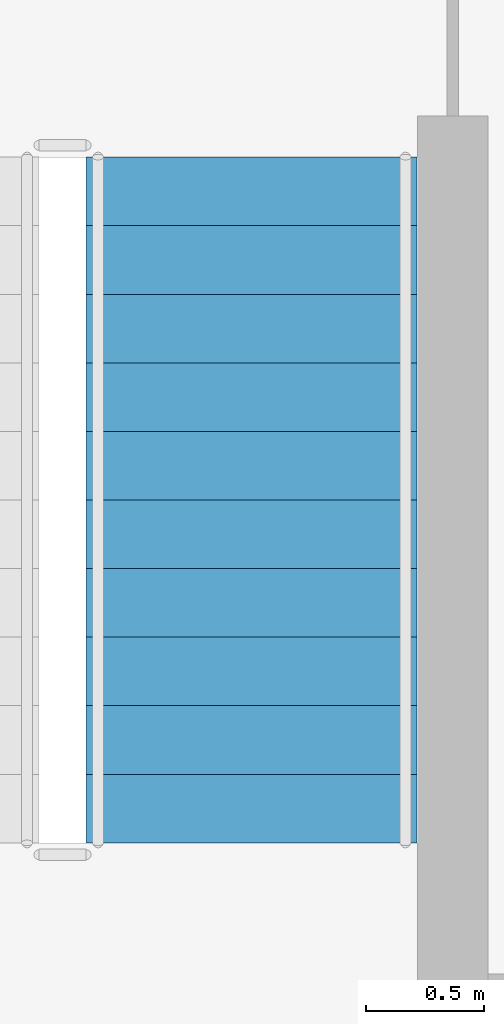
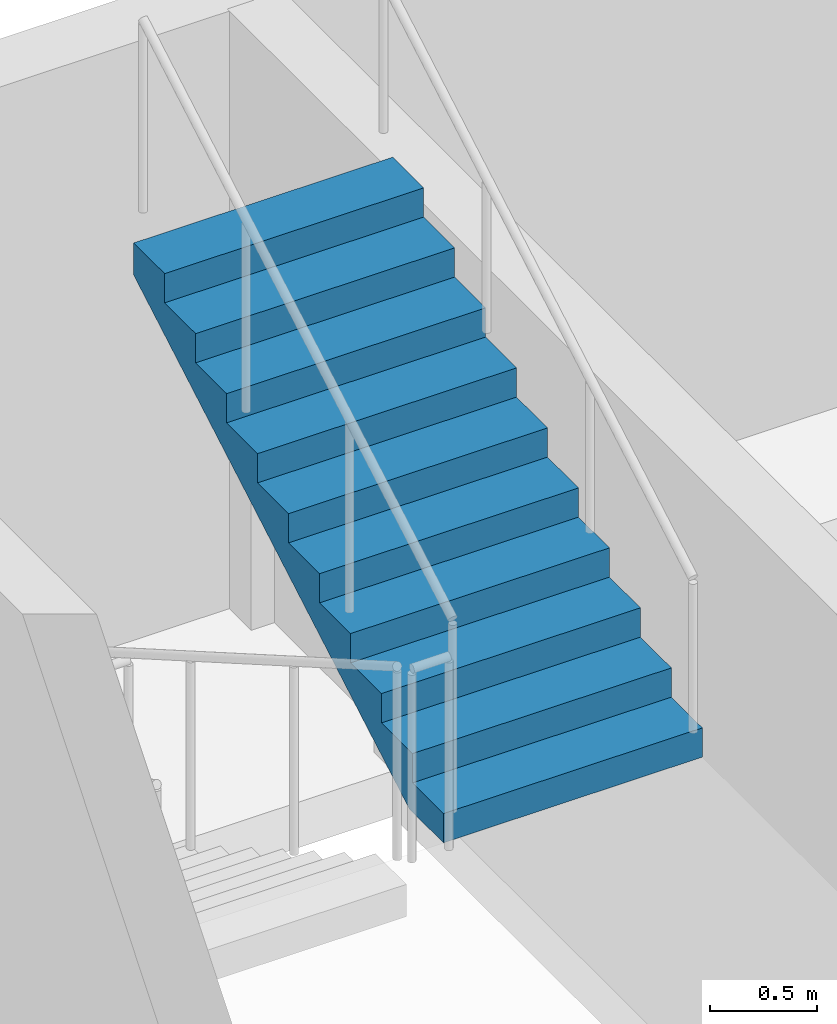
# One storey, part 54 of 73: 1 stair flight, 1 element without a shape of its own.
"""IFC4 building model written with IfcOpenShell, lengths in metres."""

from ifc_helpers import new_model, si_unit, derived_unit, direction, frame, origin, place, context, subcontext, project, spatial, polyline, outline, extrude, material, type_object, element, aggregate, save


model = new_model("IFC4")

# Units and contexts
model_context = context("Model", 3, precision=1e-05, world=origin(), true_north=direction((0.0, 1.0)))
body_context = subcontext(model_context, "Body", "Model", "MODEL_VIEW")
ifc_project = project(units=[si_unit("LENGTHUNIT", "METRE"), si_unit("AREAUNIT", "SQUARE_METRE"), si_unit("VOLUMEUNIT", "CUBIC_METRE"), si_unit("PLANEANGLEUNIT", "RADIAN"), si_unit("MASSUNIT", "GRAM", prefix="KILO"), derived_unit("THERMALTRANSMITTANCEUNIT", [(si_unit("MASSUNIT", "GRAM", prefix="KILO"), 1), (si_unit("TIMEUNIT", "SECOND"), -3), (si_unit("THERMODYNAMICTEMPERATUREUNIT", "KELVIN"), -1)])], contexts=[model_context])

# Site, building, storey
site_placement = place(None, origin())
site = spatial("IfcSite", under=ifc_project, at=site_placement, CompositionType="ELEMENT")
building_placement = place(site_placement, origin())
building = spatial("IfcBuilding", under=site, at=building_placement, Name="Ochrekiln Boulevard Commons", CompositionType="ELEMENT")
storey_placement = place(building_placement, frame((0.0, 0.0, 4.89990234375)))
storey = spatial("IfcBuildingStorey", under=building, at=storey_placement, Name="L01", CompositionType="ELEMENT", Elevation=4.89990234375)

# Stair, stair flight
ifc_material = material(Name="Concrete C35/45", Category="concrete")
stair_type = type_object("IfcStairType", Name="STR-DL-368", PredefinedType="TWO_STRAIGHT_RUN_STAIR", material=ifc_material)
stair_placement = place(storey_placement, origin())
stair = element("IfcStair", 1, at=stair_placement, inside=storey, type_object=stair_type, Name="L01 Enclosed Exit Stair ST-B2", PredefinedType="TWO_STRAIGHT_RUN_STAIR")
stair_flight_type = type_object("IfcStairFlightType", Name="SFL-ST-368", PredefinedType="STRAIGHT", material=ifc_material)
stair_flight_placement = place(storey_placement, frame((159.89990234375, 114.030029296875, 1.837646484375), z_axis=(0.0, 0.0, 1.0), x_axis=(0.0, 1.0, 0.0)))
stair_flight = element("IfcStairFlight", 2, at=stair_flight_placement, type_object=stair_flight_type, Name="ST-B2 flight 2", NumberOfRisers=11, NumberOfTreads=10, PredefinedType="STRAIGHT", RiserHeight=0.167045455, TreadLength=0.29, context=body_context, shape_type="SweptSolid", body=[
    extrude(outline(polyline([(0.0, 0.0), (0.0, 0.1669921875), (0.2900390625, 0.1669921875), (0.2900390625, 0.333984375), (0.580078125, 0.333984375), (0.580078125, 0.501220703125), (0.8701171875, 0.501220703125), (0.8701171875, 0.668212890625), (1.159912109375, 0.668212890625), (1.159912109375, 0.835205078125), (1.449951171875, 0.835205078125), (1.449951171875, 1.002197265625), (1.739990234375, 1.002197265625), (1.739990234375, 1.16943359375), (2.030029296875, 1.16943359375), (2.030029296875, 1.33642578125), (2.320068359375, 1.33642578125), (2.320068359375, 1.50341796875), (2.610107421875, 1.50341796875), (2.610107421875, 1.67041015625), (2.89990234375, 1.67041015625), (2.89990234375, 1.83740234375), (2.89990234375, 1.48583984375), (0.3203125, 0.0), (0.0, 0.0)])), frame((0.0, 0.699951171875, 0.0), z_axis=(0.0, -1.0, 0.0), x_axis=(1.0, 0.0, 0.0)), (0.0, 0.0, 1.0), 1.39990234375),
])
aggregate(stair, [stair_flight])

save(model, "model.ifc")
